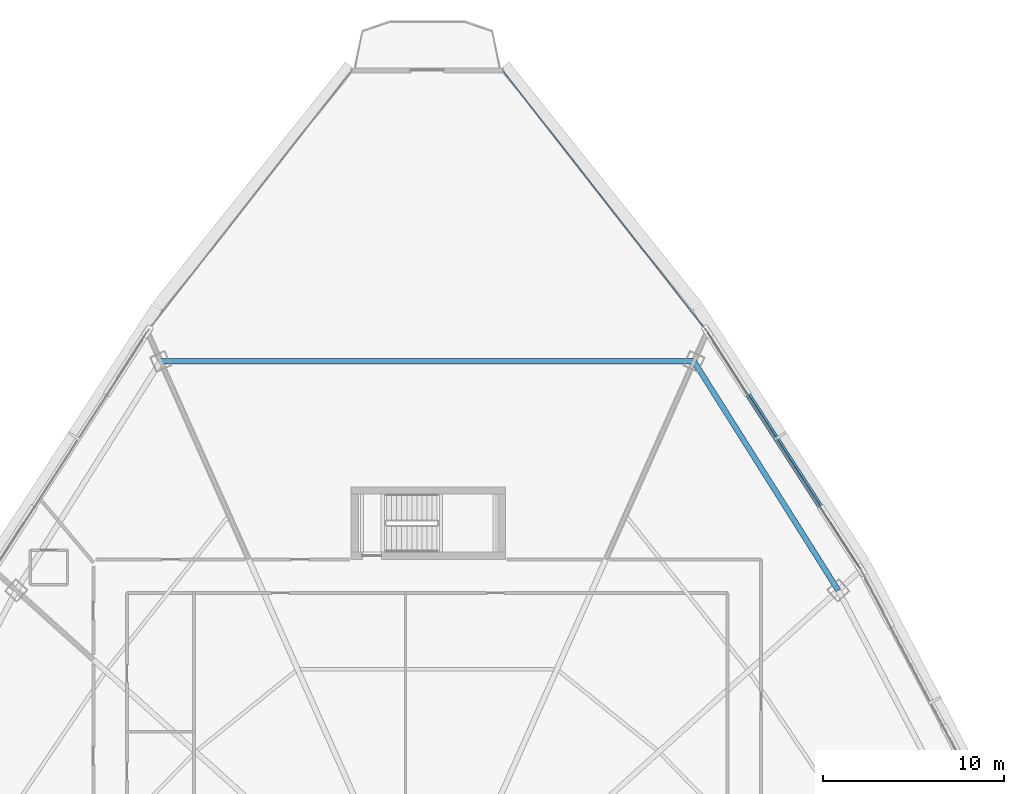
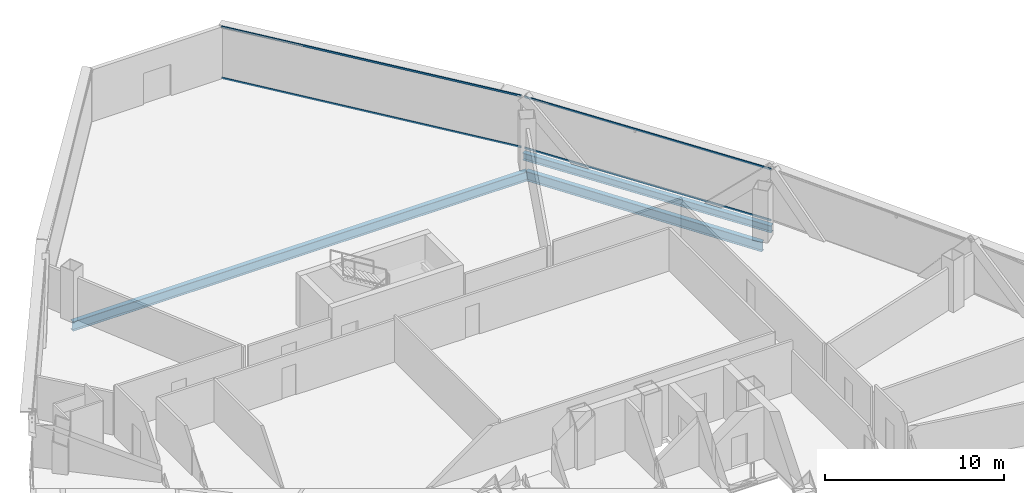
# One storey, part 21 of 38: 4 members, 3 beams, 2 elements without a shape of their own.
"""IFC4 building model written with IfcOpenShell, lengths in metres."""

from ifc_helpers import new_model, si_unit, direction, frame, origin, origin_2d, place, context, subcontext, project, spatial, hollow_rectangle, i_section, extrude, source, transform, mapped, material, layer, layer_set, material_profile, profile_set, type_object, element, aggregate, save


model = new_model("IFC4")

# Units and contexts
model_context = context("Model", 3, precision=1e-05, world=origin(), true_north=direction((0.0, 1.0)))
body_context = subcontext(model_context, "Body", "Model", "MODEL_VIEW")
ifc_project = project(units=[si_unit("LENGTHUNIT", "METRE"), si_unit("AREAUNIT", "SQUARE_METRE"), si_unit("VOLUMEUNIT", "CUBIC_METRE"), si_unit("PLANEANGLEUNIT", "RADIAN"), si_unit("MASSUNIT", "GRAM", prefix="KILO"), si_unit("THERMODYNAMICTEMPERATUREUNIT", "KELVIN"), si_unit("POWERUNIT", "WATT")], contexts=[model_context])

# Site, building, storey
site_placement = place(None, origin())
site = spatial("IfcSite", under=ifc_project, at=site_placement, CompositionType="ELEMENT")
building_placement = place(site_placement, origin())
building = spatial("IfcBuilding", under=site, at=building_placement, Name="Yunzhuo Pagoda Commons", CompositionType="ELEMENT")
storey_placement = place(building_placement, frame((0.0, 0.0, 203.760009765625)))
storey = spatial("IfcBuildingStorey", under=building, at=storey_placement, Name="L51", CompositionType="ELEMENT", Elevation=203.760009765625)

# Beams
ifc_material_1 = material(Name="Structural steel Q355B", Category="steel")
ifc_material_profile_1 = material_profile(ifc_material_1, i_section(OverallWidth=0.300048828125, OverallDepth=0.64990234375, WebThickness=0.012939453125, FlangeThickness=0.02197265625, at=origin_2d()), Name="Structural steel Q355B")
ifc_profile_set_1 = profile_set([ifc_material_profile_1], Name="Structural steel Q355B")
beam_type_1 = type_object("IfcBeamType", Name="B-RG2 Beam HN 650x300x13x22", PredefinedType="BEAM", material=ifc_profile_set_1)
shared_shape_1 = source(origin(), body_context, "Body", "SweptSolid", [
    extrude(i_section(OverallWidth=0.300048828125, OverallDepth=0.64990234375, WebThickness=0.012939453125, FlangeThickness=0.02197265625, at=origin_2d()), origin(), (0.0, 0.0, 1.0), 14.916015625),
])
beam_1_placement = place(storey_placement, frame((70.650634765625, 54.0947265625, -0.5849609375), z_axis=(-0.533092374013, 0.846057043449, 0.0), x_axis=(-0.846057043449, -0.533092374013, 0.0)))
element("IfcBeam", 1, at=beam_1_placement, inside=storey, type_object=beam_type_1, Name="L51 column-ring beam 7", PredefinedType="BEAM", context=body_context, shape_type="MappedRepresentation", body=[
    mapped(shared_shape_1, transform((0.0, 0.0, 0.0), scale=1.0)),
])
shared_shape_2 = source(origin(), body_context, "Body", "SweptSolid", [
    extrude(i_section(OverallWidth=0.300048828125, OverallDepth=0.64990234375, WebThickness=0.012939453125, FlangeThickness=0.02197265625, at=origin_2d()), origin(), (0.0, 0.0, 1.0), 29.39794921875),
])
beam_2_placement = place(storey_placement, frame((62.698974609375, 66.714599609375, -0.5849609375), z_axis=(-1.0, 0.0, 0.0), x_axis=(0.0, -1.0, 0.0)))
element("IfcBeam", 2, at=beam_2_placement, inside=storey, type_object=beam_type_1, Name="L51 column-ring beam 8", PredefinedType="BEAM", context=body_context, shape_type="MappedRepresentation", body=[
    mapped(shared_shape_2, transform((0.0, 0.0, 0.0), scale=1.0)),
])
ifc_material_profile_2 = material_profile(ifc_material_1, i_section(OverallWidth=0.300048828125, OverallDepth=0.488037109375, WebThickness=0.010986328125, FlangeThickness=0.01806640625, at=origin_2d()), Name="Structural steel Q355B")
ifc_profile_set_2 = profile_set([ifc_material_profile_2], Name="Structural steel Q355B")
beam_type_2 = type_object("IfcBeamType", Name="B-SP1 Beam HM 488x300x11x18", PredefinedType="BEAM", material=ifc_profile_set_2)
shared_shape_3 = source(origin(), body_context, "Body", "SweptSolid", [
    extrude(i_section(OverallWidth=0.300048828125, OverallDepth=0.488037109375, WebThickness=0.010986328125, FlangeThickness=0.01806640625, at=origin_2d()), origin(), (0.0, 0.0, 1.0), 15.6298828125),
])
beam_3_placement = place(storey_placement, frame((71.9130859375, 55.2314453125, -0.503662109375), z_axis=(-0.542639096157, 0.83996595843, 0.0), x_axis=(-0.83996595843, -0.542639096157, 0.0)))
element("IfcBeam", 3, at=beam_3_placement, inside=storey, type_object=beam_type_2, Name="L51 facade edge spandrel beam F2.3", PredefinedType="BEAM", context=body_context, shape_type="MappedRepresentation", body=[
    mapped(shared_shape_3, transform((0.0, 0.0, 0.0), scale=1.0)),
])

# Curtain wall, members
ifc_material_2 = material(Name="Anodized aluminium 6063-T6", Category="aluminium")
ifc_layer = layer(ifc_material_2, 0.14990234375)
ifc_layer_set = layer_set([ifc_layer], Name="Anodized aluminium 6063-T6")
curtain_wall_type = type_object("IfcCurtainWallType", Name="CW-MID Mid-Zone Ribbon Curtain Wall", PredefinedType="NOTDEFINED", material=ifc_layer_set)
curtain_wall_1_placement = place(storey_placement, origin())
curtain_wall_1 = element("IfcCurtainWall", 4, at=curtain_wall_1_placement, inside=storey, type_object=curtain_wall_type, Name="L51 curtain wall CW-L51-F2B4", PredefinedType="NOTDEFINED")
ifc_material_profile_3 = material_profile(ifc_material_2, hollow_rectangle(XDim=0.054931640625, YDim=0.1298828125, WallThickness=0.00341796875, at=origin_2d()), Name="Anodized aluminium 6063-T6")
ifc_profile_set_3 = profile_set([ifc_material_profile_3], Name="Anodized aluminium 6063-T6")
member_type = type_object("IfcMemberType", Name="CW-MID-T Transom RHS 130x55x3.5", PredefinedType="USERDEFINED", material=ifc_profile_set_3)
shared_shape_4 = source(origin(), body_context, "Body", "SweptSolid", [
    extrude(hollow_rectangle(XDim=0.054931640625, YDim=0.1298828125, WallThickness=0.00341796875, at=origin_2d()), origin(), (0.0, 0.0, 1.0), 15.510009765625),
])
member_1_placement = place(storey_placement, frame((71.880615234375, 55.281982421875, 0.027587890625), z_axis=(-0.542618687263, 0.839979142737, 0.0), x_axis=(-0.839979142737, -0.542618687263, 0.0)))
member_1 = element("IfcMember", 5, at=member_1_placement, type_object=member_type, Name="CW transom 1.1", ObjectType="TRANSOM", PredefinedType="USERDEFINED", context=body_context, shape_type="MappedRepresentation", body=[
    mapped(shared_shape_4, transform((0.0, 0.0, 0.0), scale=1.0)),
])
member_2_placement = place(storey_placement, frame((71.880615234375, 55.281982421875, 3.512451171875), z_axis=(-0.542618687263, 0.839979142737, 0.0), x_axis=(-0.839979142737, -0.542618687263, 0.0)))
member_2 = element("IfcMember", 6, at=member_2_placement, type_object=member_type, Name="CW transom 1.2", ObjectType="TRANSOM", PredefinedType="USERDEFINED", context=body_context, shape_type="MappedRepresentation", body=[
    mapped(shared_shape_4, transform((0.0, 0.0, 0.0), scale=1.0)),
])
aggregate(curtain_wall_1, [member_1, member_2])

curtain_wall_2_placement = place(storey_placement, origin())
curtain_wall_2 = element("IfcCurtainWall", 7, at=curtain_wall_2_placement, inside=storey, type_object=curtain_wall_type, Name="L51 curtain wall CW-L51-F2B5", PredefinedType="NOTDEFINED")
shared_shape_5 = source(origin(), body_context, "Body", "SweptSolid", [
    extrude(hollow_rectangle(XDim=0.054931640625, YDim=0.1298828125, WallThickness=0.00341796875, at=origin_2d()), origin(), (0.0, 0.0, 1.0), 18.0888671875),
])
member_3_placement = place(storey_placement, frame((63.348388671875, 68.46630859375, 0.027587890625), z_axis=(-0.616749239399, 0.787159688818, 0.0), x_axis=(-0.787159688818, -0.616749239399, 0.0)))
member_3 = element("IfcMember", 8, at=member_3_placement, type_object=member_type, Name="CW transom 1.1", ObjectType="TRANSOM", PredefinedType="USERDEFINED", context=body_context, shape_type="MappedRepresentation", body=[
    mapped(shared_shape_5, transform((0.0, 0.0, 0.0), scale=1.0)),
])
member_4_placement = place(storey_placement, frame((63.348388671875, 68.46630859375, 3.512451171875), z_axis=(-0.616749239399, 0.787159688818, 0.0), x_axis=(-0.787159688818, -0.616749239399, 0.0)))
member_4 = element("IfcMember", 9, at=member_4_placement, type_object=member_type, Name="CW transom 1.2", ObjectType="TRANSOM", PredefinedType="USERDEFINED", context=body_context, shape_type="MappedRepresentation", body=[
    mapped(shared_shape_5, transform((0.0, 0.0, 0.0), scale=1.0)),
])
aggregate(curtain_wall_2, [member_3, member_4])

save(model, "model.ifc")
